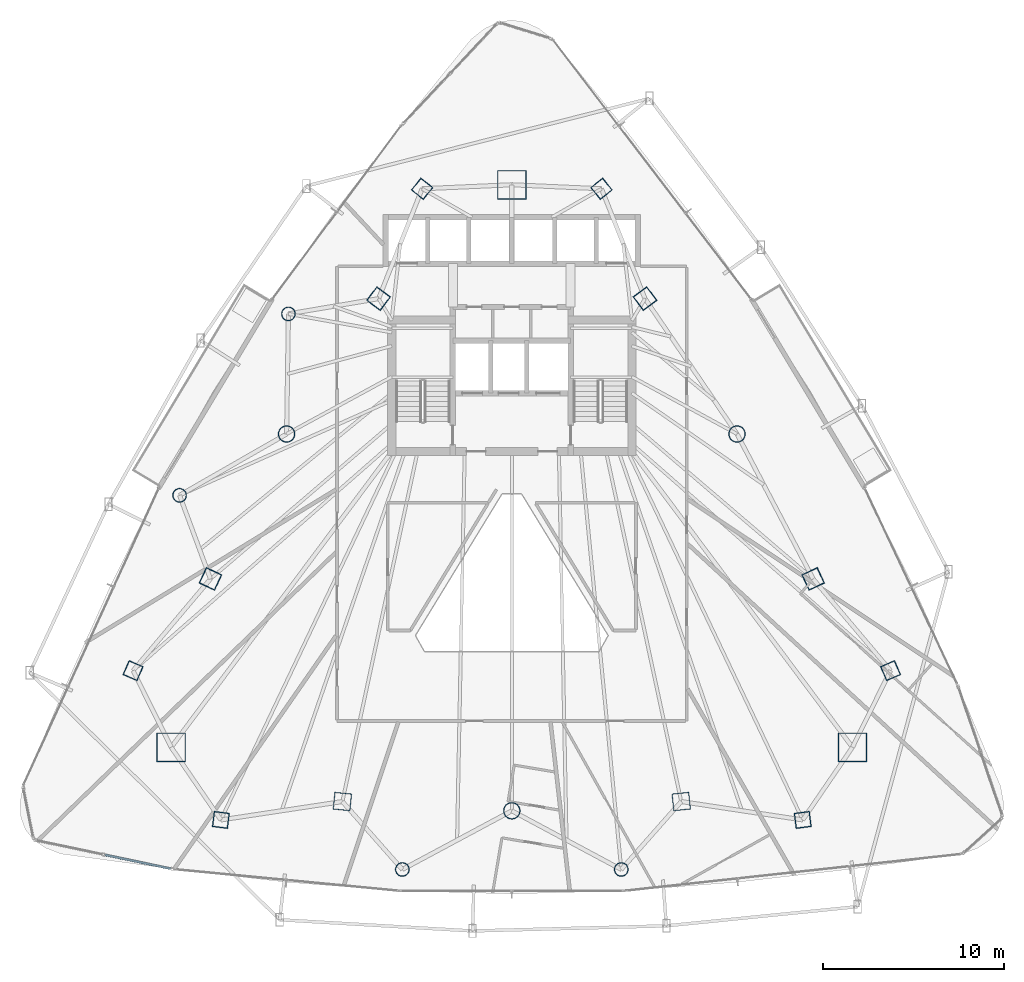
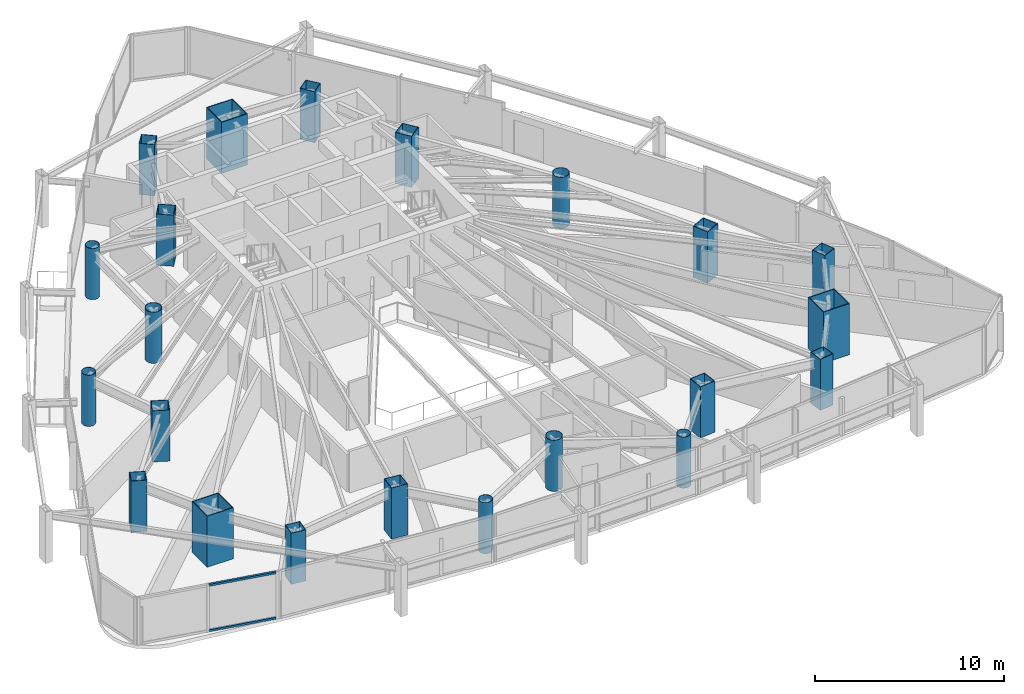
# One storey, part 1 of 33: 22 columns, 2 members, 1 element without a shape of its own.
"""IFC4 building model written with IfcOpenShell, lengths in metres."""

from ifc_helpers import new_model, si_unit, direction, frame, origin, origin_2d, place, context, subcontext, project, spatial, hollow_rectangle, hollow_circle, extrude, material, layer, layer_set, material_profile, profile_set, type_object, element, aggregate, save


model = new_model("IFC4")

# Units and contexts
model_context = context("Model", 3, precision=1e-05, world=origin(), true_north=direction((0.0, 1.0)))
body_context = subcontext(model_context, "Body", "Model", "MODEL_VIEW")
ifc_project = project(units=[si_unit("LENGTHUNIT", "METRE"), si_unit("AREAUNIT", "SQUARE_METRE"), si_unit("VOLUMEUNIT", "CUBIC_METRE"), si_unit("PLANEANGLEUNIT", "RADIAN"), si_unit("MASSUNIT", "GRAM", prefix="KILO")], contexts=[model_context])

# Site, building, storey
site_placement = place(None, origin())
site = spatial("IfcSite", under=ifc_project, at=site_placement, CompositionType="ELEMENT")
building_placement = place(site_placement, origin())
building = spatial("IfcBuilding", under=site, at=building_placement, Name="Orvanel Arch Residences", CompositionType="ELEMENT")
storey_placement = place(building_placement, frame((0.0, 0.0, 90.64990234375)))
storey = spatial("IfcBuildingStorey", under=building, at=storey_placement, Name="L25", CompositionType="ELEMENT", Elevation=90.64990234375)

# Columns
ifc_material_1 = material(Name="Structural steel AS/NZS 1163 C450L0 (Grade 450)", Category="steel")
ifc_material_profile_1 = material_profile(ifc_material_1, hollow_circle(Radius=0.381103515625, WallThickness=0.02197265625, at=origin_2d()), Name="CHS762x22")
ifc_profile_set_1 = profile_set([ifc_material_profile_1], Name="Structural steel AS/NZS 1163 C450L0 (Grade 450)")
column_type_1 = type_object("IfcColumnType", Name="CC-762", PredefinedType="COLUMN", material=ifc_profile_set_1)
for number, where, z_axis, x_axis, name in (
    (1, (20.669921875, 34.27099609375, 0.0), (0.0, 0.0, 1.0), (1.0, 0.0, 0.0), "L25 Low-Rise Buttress Tube Column 01"),
    (2, (14.662109375, 24.256103515625, 0.0), (0.0, 0.0, 1.0), (1.0, 0.0, 0.0), "L25 Low-Rise Buttress Tube Column 02"),
    (3, (26.9580078125, 3.60498046875, 0.0), (0.0, 0.0, 1.0), (1.0, 0.0, 0.0), "L25 Low-Rise Buttress Tube Column 03"),
    (4, (39.0419921875, 3.60498046875, 0.0), (0.0, 0.0, 1.0), (1.0, 0.0, 0.0), "L25 Low-Rise Buttress Tube Column 04"),
):
    element("IfcColumn", number, at=place(storey_placement, frame(where, z_axis=z_axis, x_axis=x_axis)), inside=storey, type_object=column_type_1, Name=name, PredefinedType="COLUMN", context=body_context, shape_type="SweptSolid", body=[
        extrude(hollow_circle(Radius=0.381103515625, WallThickness=0.02197265625, at=origin_2d()), origin(), (0.0, 0.0, 1.0), 3.300048828125),
    ])
ifc_material_profile_2 = material_profile(ifc_material_1, hollow_circle(Radius=0.45703125, WallThickness=0.02490234375, at=origin_2d()), Name="CHS914x25")
ifc_profile_set_2 = profile_set([ifc_material_profile_2], Name="Structural steel AS/NZS 1163 C450L0 (Grade 450)")
column_type_2 = type_object("IfcColumnType", Name="CC-914", PredefinedType="COLUMN", material=ifc_profile_set_2)
for number, where, z_axis, x_axis, name in (
    (5, (20.569091796875, 27.64111328125, 0.0), (0.0, 0.0, 1.0), (1.0, 0.0, 0.0), "L25 High-Rise Tube Column 02"),
    (6, (33.0, 6.843994140625, 0.0), (0.0, 0.0, 1.0), (1.0, 0.0, 0.0), "L25 High-Rise Tube Column 05"),
    (7, (45.430908203125, 27.64111328125, 0.0), (0.0, 0.0, 1.0), (1.0, 0.0, 0.0), "L25 High-Rise Tube Column 08"),
):
    element("IfcColumn", number, at=place(storey_placement, frame(where, z_axis=z_axis, x_axis=x_axis)), inside=storey, type_object=column_type_2, Name=name, PredefinedType="COLUMN", context=body_context, shape_type="SweptSolid", body=[
        extrude(hollow_circle(Radius=0.45703125, WallThickness=0.02490234375, at=origin_2d()), origin(), (0.0, 0.0, 1.0), 3.300048828125),
    ])
ifc_material_2 = material(Name="Structural steel AS/NZS 3678 Grade 450", Category="steel")
ifc_material_profile_3 = material_profile(ifc_material_2, hollow_rectangle(XDim=1.60009765625, YDim=1.60009765625, WallThickness=0.050048828125, at=origin_2d()), Name="BOX1600x1600x50")
ifc_profile_set_3 = profile_set([ifc_material_profile_3], Name="Structural steel AS/NZS 3678 Grade 450")
column_type_3 = type_object("IfcColumnType", Name="MC-1600", PredefinedType="COLUMN", material=ifc_profile_set_3)
for number, where, z_axis, x_axis, name in (
    (8, (33.0, 41.39794921875, 0.0), (0.0, 0.0, 1.0), (1.0, 0.0, 0.0), "L25 Corner Mega-Column 1"),
    (9, (14.198974609375, 10.35107421875, 0.0), (0.0, 0.0, 1.0), (1.0, 0.0, 0.0), "L25 Corner Mega-Column 2"),
    (10, (51.801025390625, 10.35107421875, 0.0), (0.0, 0.0, 1.0), (1.0, 0.0, 0.0), "L25 Corner Mega-Column 3"),
):
    element("IfcColumn", number, at=place(storey_placement, frame(where, z_axis=z_axis, x_axis=x_axis)), inside=storey, type_object=column_type_3, Name=name, PredefinedType="COLUMN", context=body_context, shape_type="SweptSolid", body=[
        extrude(hollow_rectangle(XDim=1.60009765625, YDim=1.60009765625, WallThickness=0.050048828125, at=origin_2d()), origin(), (0.0, 0.0, 1.0), 3.300048828125),
    ])
ifc_material_3 = material(Name="Structural steel AS/NZS 3678 Grade 350", Category="steel")
ifc_material_profile_4 = material_profile(ifc_material_3, hollow_rectangle(XDim=0.85009765625, YDim=0.85009765625, WallThickness=0.028076171875, at=origin_2d()), Name="BOX850x850x28")
ifc_profile_set_4 = profile_set([ifc_material_profile_4], Name="Structural steel AS/NZS 3678 Grade 350")
column_type_4 = type_object("IfcColumnType", Name="TC-850", PredefinedType="COLUMN", material=ifc_profile_set_4)
for number, where, z_axis, x_axis, name in (
    (11, (28.050048828125, 41.177978515625, 0.0), (0.0, 0.0, 1.0), (0.623879596709, 0.781520472419, 0.0), "L25 Mid-Rise Buttress Tube Column 01"),
    (12, (12.094970703125, 14.580078125, 0.0), (0.0, 0.0, 1.0), (0.397147890635, 0.917754625684, 0.0), "L25 Mid-Rise Buttress Tube Column 02"),
    (13, (16.94091796875, 6.339111328125, 0.0), (0.0, 0.0, 1.0), (-0.99189444259, 0.127064608601, 0.0), "L25 Mid-Rise Buttress Tube Column 03"),
    (14, (49.05908203125, 6.339111328125, 0.0), (0.0, 0.0, 1.0), (0.99189444259, 0.127064608601, 0.0), "L25 Mid-Rise Buttress Tube Column 04"),
    (15, (53.905029296875, 14.580078125, 0.0), (0.0, 0.0, 1.0), (-0.397147890635, 0.917754625684, 0.0), "L25 Mid-Rise Buttress Tube Column 05"),
    (16, (37.949951171875, 41.177978515625, 0.0), (0.0, 0.0, 1.0), (-0.623879596709, 0.781520472419, 0.0), "L25 Mid-Rise Buttress Tube Column 06"),
):
    element("IfcColumn", number, at=place(storey_placement, frame(where, z_axis=z_axis, x_axis=x_axis)), inside=storey, type_object=column_type_4, Name=name, PredefinedType="COLUMN", context=body_context, shape_type="SweptSolid", body=[
        extrude(hollow_rectangle(XDim=0.85009765625, YDim=0.85009765625, WallThickness=0.028076171875, at=origin_2d()), origin(), (0.0, 0.0, 1.0), 3.300048828125),
    ])
ifc_material_profile_5 = material_profile(ifc_material_3, hollow_rectangle(XDim=0.949951171875, YDim=0.949951171875, WallThickness=0.031982421875, at=origin_2d()), Name="BOX950x950x32")
ifc_profile_set_5 = profile_set([ifc_material_profile_5], Name="Structural steel AS/NZS 3678 Grade 350")
column_type_5 = type_object("IfcColumnType", Name="TC-950", PredefinedType="COLUMN", material=ifc_profile_set_5)
for number, where, z_axis, x_axis, name in (
    (17, (25.64794921875, 35.113037109375, 0.0), (0.0, 0.0, 1.0), (0.600420225326, 0.799684658487, 0.0), "L25 High-Rise Tube Column 01"),
    (18, (16.366943359375, 19.64208984375, 0.0), (0.0, 0.0, 1.0), (0.422618261741, 0.906307787037, 0.0), "L25 High-Rise Tube Column 03"),
    (19, (23.64892578125, 7.35498046875, 0.0), (0.0, 0.0, 1.0), (-0.994880708829, 0.101056297183, 0.0), "L25 High-Rise Tube Column 04"),
    (20, (42.35107421875, 7.35498046875, 0.0), (0.0, 0.0, 1.0), (0.994880708829, 0.101056297183, 0.0), "L25 High-Rise Tube Column 06"),
    (21, (49.633056640625, 19.64208984375, 0.0), (0.0, 0.0, 1.0), (-0.422618261741, 0.906307787037, 0.0), "L25 High-Rise Tube Column 07"),
    (22, (40.35205078125, 35.113037109375, 0.0), (0.0, 0.0, 1.0), (-0.600420225326, 0.799684658487, 0.0), "L25 High-Rise Tube Column 09"),
):
    element("IfcColumn", number, at=place(storey_placement, frame(where, z_axis=z_axis, x_axis=x_axis)), inside=storey, type_object=column_type_5, Name=name, PredefinedType="COLUMN", context=body_context, shape_type="SweptSolid", body=[
        extrude(hollow_rectangle(XDim=0.949951171875, YDim=0.949951171875, WallThickness=0.031982421875, at=origin_2d()), origin(), (0.0, 0.0, 1.0), 3.300048828125),
    ])

# Curtain wall, members
ifc_material_4 = material(Name="Bronze-anodised aluminium AA6063-T6", Category="aluminium")
ifc_layer = layer(ifc_material_4, 0.18994140625)
ifc_layer_set = layer_set([ifc_layer], Name="Bronze-anodised aluminium AA6063-T6")
curtain_wall_type = type_object("IfcCurtainWallType", Name="CW5-CRN-SYS", PredefinedType="NOTDEFINED", material=ifc_layer_set)
curtain_wall_placement = place(storey_placement, origin())
curtain_wall = element("IfcCurtainWall", 23, at=curtain_wall_placement, inside=storey, type_object=curtain_wall_type, Name="L25 CW5-CRN-SYS Unitised Curtain Wall", PredefinedType="NOTDEFINED")
ifc_material_profile_6 = material_profile(ifc_material_4, hollow_rectangle(XDim=0.1298828125, YDim=0.1298828125, WallThickness=0.00439453125, at=origin_2d()), Name="ALU130x130x4.5")
ifc_profile_set_6 = profile_set([ifc_material_profile_6], Name="Bronze-anodised aluminium AA6063-T6")
member_type = type_object("IfcMemberType", Name="TRN-130x130", PredefinedType="USERDEFINED", material=ifc_profile_set_6)
member_1_placement = place(storey_placement, frame((10.54931640625, 4.41162109375, 0.065185546875), z_axis=(0.97870586565, -0.205267699706, 0.0), x_axis=(0.205267699706, 0.97870586565, 0.0)))
member_1 = element("IfcMember", 24, at=member_1_placement, type_object=member_type, Name="CW-S5 transom 2.1", ObjectType="TRANSOM", PredefinedType="USERDEFINED", context=body_context, shape_type="SweptSolid", body=[
    extrude(hollow_rectangle(XDim=0.1298828125, YDim=0.1298828125, WallThickness=0.00439453125, at=origin_2d()), origin(), (0.0, 0.0, 1.0), 3.7109375),
])
member_2_placement = place(storey_placement, frame((10.54931640625, 4.41162109375, 2.9951171875), z_axis=(0.97870586565, -0.205267699706, 0.0), x_axis=(0.205267699706, 0.97870586565, 0.0)))
member_2 = element("IfcMember", 25, at=member_2_placement, type_object=member_type, Name="CW-S5 transom 2.2", ObjectType="TRANSOM", PredefinedType="USERDEFINED", context=body_context, shape_type="SweptSolid", body=[
    extrude(hollow_rectangle(XDim=0.1298828125, YDim=0.1298828125, WallThickness=0.00439453125, at=origin_2d()), origin(), (0.0, 0.0, 1.0), 3.7109375),
])
aggregate(curtain_wall, [member_1, member_2])

save(model, "model.ifc")
